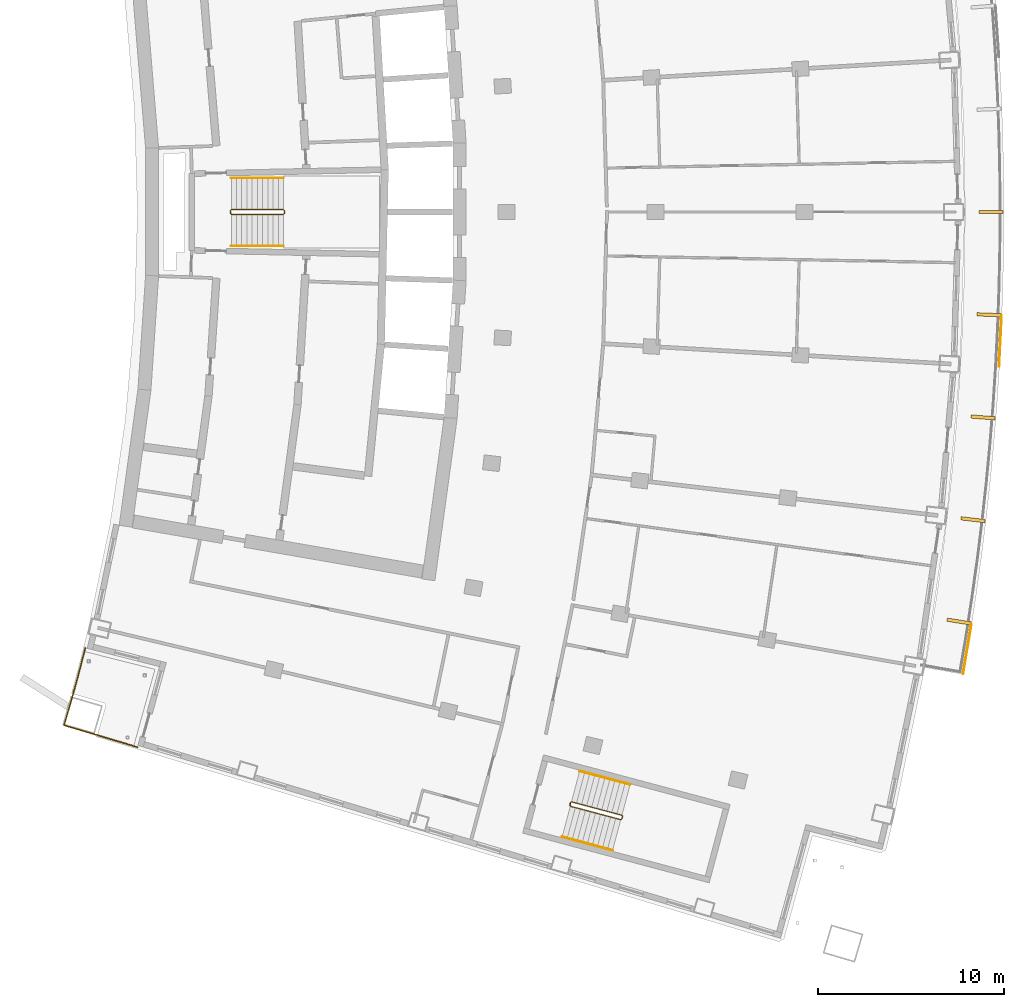
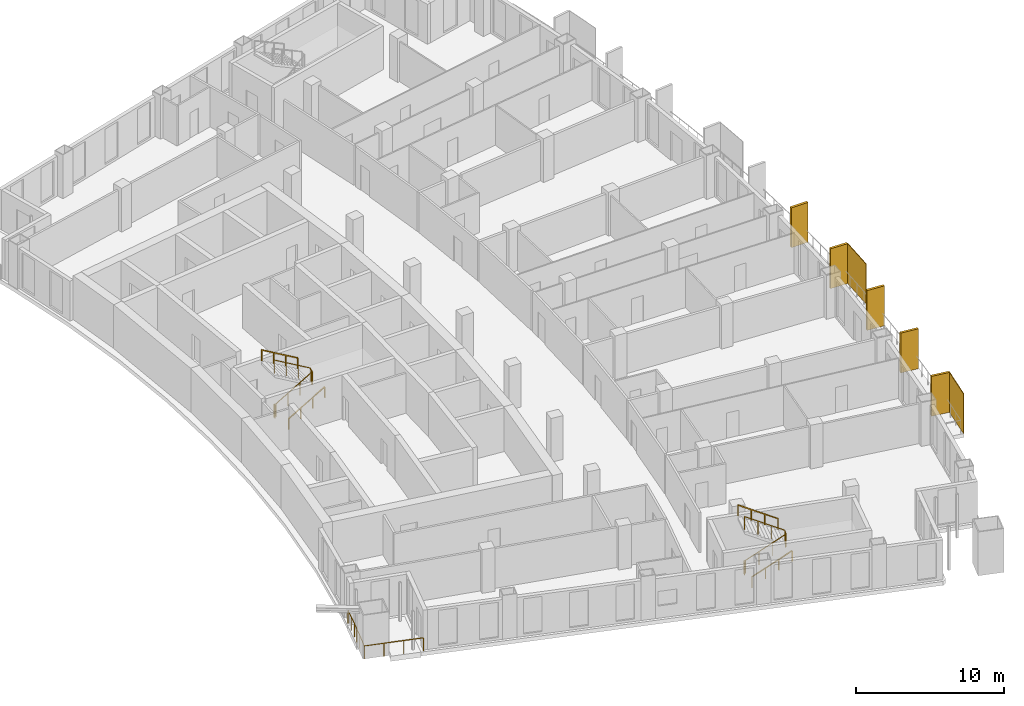
# One storey, part 18 of 20: 7 railings, 7 shading devices.
"""IFC4 building model written with IfcOpenShell, lengths in metres."""

from ifc_helpers import new_model, si_unit, direction, frame, origin, origin_with_axes, origin_2d, place, context, subcontext, project, spatial, rectangle, extrude, material, layer, layer_set, type_object, element, save


model = new_model("IFC4")

# Units and contexts
model_context = context("Model", 3, precision=1e-05, world=origin(), true_north=direction((0.0, 1.0)))
body_context = subcontext(model_context, "Body", "Model", "MODEL_VIEW")
ifc_project = project(units=[si_unit("LENGTHUNIT", "METRE"), si_unit("AREAUNIT", "SQUARE_METRE"), si_unit("VOLUMEUNIT", "CUBIC_METRE"), si_unit("PLANEANGLEUNIT", "RADIAN"), si_unit("MASSUNIT", "GRAM", prefix="KILO")], contexts=[model_context])

# Site, building, storey
site_placement = place(None, origin())
site = spatial("IfcSite", under=ifc_project, at=site_placement, CompositionType="ELEMENT")
building_placement = place(site_placement, origin())
building = spatial("IfcBuilding", under=site, at=building_placement, Name="Alderwake Tower", CompositionType="ELEMENT")
storey_placement = place(building_placement, frame((0.0, 0.0, 153.199951171875)))
storey = spatial("IfcBuildingStorey", under=building, at=storey_placement, Name="L37", CompositionType="ELEMENT", Elevation=153.199951171875)

# Railing
ifc_material_1 = material(Name="Stainless steel 316 rail and posts", Category="steel")
railing_type_1 = type_object("IfcRailingType", Name="Balcony guard 1100", PredefinedType="GUARDRAIL", material=ifc_material_1)
railing_1_placement = place(storey_placement, frame((13.210693359375, 37.612548828125, 0.0)))
element("IfcRailing", 1, at=railing_1_placement, inside=storey, type_object=railing_type_1, Name="Guard terrace RS", PredefinedType="GUARDRAIL", context=body_context, shape_type="SweptSolid", body=[
    extrude(rectangle(XDim=0.048095703125, YDim=0.048095703125, at=origin_2d()), frame((0.0, 0.0, 1.076171875), z_axis=(-0.251385381433, -0.967887075026, 0.0), x_axis=(0.967887075026, -0.251385381433, 0.0)), (0.0, 0.0, 1.0), 1.6015625),
    extrude(rectangle(XDim=0.048095703125, YDim=0.048095703125, at=origin_2d()), frame((-0.402587890625, -1.550048828125, 1.076171875), z_axis=(-0.266520638672, -0.963829211615, 0.0), x_axis=(0.963829211615, -0.266520638672, 0.0)), (0.0, 0.0, 1.0), 1.401611328125),
    extrude(rectangle(XDim=0.048095703125, YDim=0.048095703125, at=origin_2d()), frame((-0.776123046875, -2.90087890625, 1.076171875), z_axis=(-0.280093650878, -0.959972680204, 0.0), x_axis=(0.959972680204, -0.280093650878, 0.0)), (0.0, 0.0, 1.0), 1.30126953125),
    extrude(rectangle(XDim=0.048095703125, YDim=0.048095703125, at=origin_2d()), frame((-1.140625, -4.150146484375, 1.076171875), z_axis=(0.958066871889, -0.286544706789, 0.0), x_axis=(0.286544706789, 0.958066871889, 0.0)), (0.0, 0.0, 1.0), 4.099853515625),
    extrude(rectangle(XDim=0.0419921875, YDim=0.0419921875, at=origin_2d()), frame((0.0, 0.0, 0.0), z_axis=(0.0, 0.0, 1.0), x_axis=(-0.251385381433, -0.967887075026, 0.0)), (0.0, 0.0, 1.0), 1.052001953125),
    extrude(rectangle(XDim=0.0419921875, YDim=0.0419921875, at=origin_2d()), frame((-0.201171875, -0.77490234375, 0.0), z_axis=(0.0, 0.0, 1.0), x_axis=(-0.251385381433, -0.967887075026, 0.0)), (0.0, 0.0, 1.0), 1.052001953125),
    extrude(rectangle(XDim=0.0419921875, YDim=0.0419921875, at=origin_2d()), frame((-0.402587890625, -1.550048828125, 0.0), z_axis=(0.0, 0.0, 1.0), x_axis=(-0.266520638672, -0.963829211615, 0.0)), (0.0, 0.0, 1.0), 1.052001953125),
    extrude(rectangle(XDim=0.0419921875, YDim=0.0419921875, at=origin_2d()), frame((-0.58935546875, -2.2255859375, 0.0), z_axis=(0.0, 0.0, 1.0), x_axis=(-0.266520638672, -0.963829211615, 0.0)), (0.0, 0.0, 1.0), 1.052001953125),
    extrude(rectangle(XDim=0.0419921875, YDim=0.0419921875, at=origin_2d()), frame((-0.776123046875, -2.90087890625, 0.0), z_axis=(0.0, 0.0, 1.0), x_axis=(-0.280093650878, -0.959972680204, 0.0)), (0.0, 0.0, 1.0), 1.052001953125),
    extrude(rectangle(XDim=0.0419921875, YDim=0.0419921875, at=origin_2d()), frame((-1.140625, -4.150146484375, 0.0), z_axis=(0.0, 0.0, 1.0), x_axis=(0.958066871889, -0.286544706789, 0.0)), (0.0, 0.0, 1.0), 1.052001953125),
    extrude(rectangle(XDim=0.0419921875, YDim=0.0419921875, at=origin_2d()), frame((0.168701171875, -4.541748046875, 0.0), z_axis=(0.0, 0.0, 1.0), x_axis=(0.958066871889, -0.286544706789, 0.0)), (0.0, 0.0, 1.0), 1.052001953125),
    extrude(rectangle(XDim=0.0419921875, YDim=0.0419921875, at=origin_2d()), frame((1.47802734375, -4.933349609375, 0.0), z_axis=(0.0, 0.0, 1.0), x_axis=(0.958066871889, -0.286544706789, 0.0)), (0.0, 0.0, 1.0), 1.052001953125),
    extrude(rectangle(XDim=0.0419921875, YDim=0.0419921875, at=origin_2d()), frame((2.787353515625, -5.324951171875, 0.0), z_axis=(0.0, 0.0, 1.0), x_axis=(0.958066871889, -0.286544706789, 0.0)), (0.0, 0.0, 1.0), 1.052001953125),
])

# Shading devices
ifc_material_2 = material(Name="Bronze anodised aluminium", Category="aluminium")
ifc_layer_1 = layer(ifc_material_2, 0.179931640625)
ifc_layer_set_1 = layer_set([ifc_layer_1], Name="Facade fin 1300")
shading_device_type_1 = type_object("IfcShadingDeviceType", Name="Facade fin 1300", PredefinedType="USERDEFINED", material=ifc_layer_set_1)
for number, where, z_axis, x_axis, name in (
    (2, (60.0869140625, 39.02490234375, 0.0), (0.0, 0.0, 1.0), (0.987918787879, -0.154972476771, 0.0), "Fin"),
    (3, (60.83544921875, 44.489501953125, 0.0), (0.0, 0.0, 1.0), (0.993198315083, -0.116434990084, 0.0), "Fin"),
    (4, (61.37109375, 49.97900390625, 0.0), (0.0, 0.0, 1.0), (0.996975122026, -0.077721335943, 0.0), "Fin"),
    (5, (61.692626953125, 55.4853515625, 0.0), (0.0, 0.0, 1.0), (0.999243494356, -0.038890088543, 0.0), "Fin"),
    (6, (61.800048828125, 61.0, 0.0), (0.0, 0.0, 1.0), (1.0, 0.0, 0.0), "Fin"),
):
    element("IfcShadingDevice", number, at=place(storey_placement, frame(where, z_axis=z_axis, x_axis=x_axis)), inside=storey, type_object=shading_device_type_1, Name=name, ObjectType="FIN", PredefinedType="USERDEFINED", context=body_context, shape_type="SweptSolid", body=[
        extrude(rectangle(XDim=1.300048828125, YDim=0.179931640625, at=origin_2d()), origin(), (0.0, 0.0, 1.0), 3.280029296875),
    ])
ifc_material_3 = material(Name="Perforated bronze anodised aluminium", Category="aluminium")
ifc_layer_2 = layer(ifc_material_3, 0.050048828125)
ifc_layer_set_2 = layer_set([ifc_layer_2], Name="Perforated screen panel")
shading_device_type_2 = type_object("IfcShadingDeviceType", Name="Perforated screen panel", PredefinedType="USERDEFINED", material=ifc_layer_set_2)
for number, where, z_axis, x_axis, name in (
    (7, (60.5263671875, 37.55712890625, 0.0), (0.0, 0.0, 1.0), (0.986369013299, -0.164548380739, 0.0), "Screen panel"),
    (8, (62.300048828125, 54.078857421875, 0.0), (0.0, 0.0, 1.0), (0.998819231138, -0.048581308217, 0.0), "Screen panel"),
):
    element("IfcShadingDevice", number, at=place(storey_placement, frame(where, z_axis=z_axis, x_axis=x_axis)), inside=storey, type_object=shading_device_type_2, Name=name, ObjectType="SCREEN", PredefinedType="USERDEFINED", context=body_context, shape_type="SweptSolid", body=[
        extrude(rectangle(XDim=0.050048828125, YDim=2.763916015625, at=origin_2d()), origin(), (0.0, 0.0, 1.0), 3.280029296875),
    ])

# Railings
ifc_material_4 = material(Name="Stainless steel guard", Category="steel")
railing_type_2 = type_object("IfcRailingType", Name="Stair guard 1100", PredefinedType="GUARDRAIL", material=ifc_material_4)
railing_2_placement = place(storey_placement, frame((20.989990234375, 60.925048828125, 0.0)))
element("IfcRailing", 9, at=railing_2_placement, inside=storey, type_object=railing_type_2, Name="L37 ST-B stair guard 1", PredefinedType="GUARDRAIL", context=body_context, shape_type="SweptSolid", body=[
    extrude(rectangle(XDim=0.048095703125, YDim=0.048095703125, at=origin_2d()), frame((0.0, 0.0, 1.076171875), z_axis=(0.0, 1.0, 0.0), x_axis=(-1.0, 0.0, 0.0)), (0.0, 0.0, 1.0), 0.14990234375),
    extrude(rectangle(XDim=0.048095703125, YDim=0.048095703125, at=origin_2d()), frame((0.0, 0.14990234375, 1.076171875), z_axis=(0.190199549216, -0.759870394187, 0.621627795), x_axis=(0.970072785993, 0.242814311512, 0.0)), (0.0, 0.0, 1.0), 0.26318359375),
    extrude(rectangle(XDim=0.048095703125, YDim=0.048095703125, at=origin_2d()), frame((0.050048828125, -0.050048828125, 1.23974609375), z_axis=(0.863360870873, 0.0, 0.504586966384), x_axis=(0.0, 1.0, 0.0)), (0.0, 0.0, 1.0), 3.2431640625),
    extrude(rectangle(XDim=0.048095703125, YDim=0.048095703125, at=origin_2d()), frame((2.85009765625, -0.050048828125, 2.8759765625), z_axis=(0.705375805398, 0.708833529934, 0.0), x_axis=(-0.708833529934, 0.705375805398, 0.0)), (0.0, 0.0, 1.0), 0.070556640625),
    extrude(rectangle(XDim=0.048095703125, YDim=0.048095703125, at=origin_2d()), frame((2.89990234375, 0.0, 2.8759765625), z_axis=(0.0, 1.0, 0.0), x_axis=(-1.0, 0.0, 0.0)), (0.0, 0.0, 1.0), 0.14990234375),
    extrude(rectangle(XDim=0.048095703125, YDim=0.048095703125, at=origin_2d()), frame((2.89990234375, 0.14990234375, 2.8759765625), z_axis=(-0.279546231943, 0.280916556609, 0.91811752648), x_axis=(-0.708833529934, -0.705375805398, 0.0)), (0.0, 0.0, 1.0), 0.17822265625),
    extrude(rectangle(XDim=0.048095703125, YDim=0.048095703125, at=origin_2d()), frame((2.85009765625, 0.199951171875, 3.03955078125), z_axis=(-0.863360870873, 0.0, 0.504586966384), x_axis=(0.0, -1.0, 0.0)), (0.0, 0.0, 1.0), 3.2431640625),
    extrude(rectangle(XDim=0.0419921875, YDim=0.0419921875, at=origin_2d()), frame((0.0, 0.0, 0.0), z_axis=(0.0, 0.0, 1.0), x_axis=(0.0, 1.0, 0.0)), (0.0, 0.0, 1.0), 1.052001953125),
    extrude(rectangle(XDim=0.0419921875, YDim=0.0419921875, at=origin_2d()), frame((0.0, 0.14990234375, 0.0), z_axis=(0.0, 0.0, 1.0), x_axis=(0.242814311512, -0.970072785993, 0.0)), (0.0, 0.0, 1.0), 1.052001953125),
    extrude(rectangle(XDim=0.0419921875, YDim=0.0419921875, at=origin_2d()), frame((0.050048828125, -0.050048828125, 0.16357421875), z_axis=(0.0, 0.0, 1.0), x_axis=(1.0, 0.0, 0.0)), (0.0, 0.0, 1.0), 1.052001953125),
    extrude(rectangle(XDim=0.0419921875, YDim=0.0419921875, at=origin_2d()), frame((0.9833984375, -0.050048828125, 0.708984375), z_axis=(0.0, 0.0, 1.0), x_axis=(1.0, 0.0, 0.0)), (0.0, 0.0, 1.0), 1.052001953125),
    extrude(rectangle(XDim=0.0419921875, YDim=0.0419921875, at=origin_2d()), frame((1.916748046875, -0.050048828125, 1.254638671875), z_axis=(0.0, 0.0, 1.0), x_axis=(1.0, 0.0, 0.0)), (0.0, 0.0, 1.0), 1.052001953125),
    extrude(rectangle(XDim=0.0419921875, YDim=0.0419921875, at=origin_2d()), frame((2.85009765625, -0.050048828125, 1.800048828125), z_axis=(0.0, 0.0, 1.0), x_axis=(0.705375805398, 0.708833529934, 0.0)), (0.0, 0.0, 1.0), 1.052001953125),
    extrude(rectangle(XDim=0.0419921875, YDim=0.0419921875, at=origin_2d()), frame((2.89990234375, 0.0, 1.800048828125), z_axis=(0.0, 0.0, 1.0), x_axis=(0.0, 1.0, 0.0)), (0.0, 0.0, 1.0), 1.052001953125),
    extrude(rectangle(XDim=0.0419921875, YDim=0.0419921875, at=origin_2d()), frame((2.89990234375, 0.14990234375, 1.800048828125), z_axis=(0.0, 0.0, 1.0), x_axis=(-0.705375805398, 0.708833529934, 0.0)), (0.0, 0.0, 1.0), 1.052001953125),
    extrude(rectangle(XDim=0.0419921875, YDim=0.0419921875, at=origin_2d()), frame((2.85009765625, 0.199951171875, 1.963623046875), z_axis=(0.0, 0.0, 1.0), x_axis=(-1.0, 0.0, 0.0)), (0.0, 0.0, 1.0), 1.052001953125),
    extrude(rectangle(XDim=0.0419921875, YDim=0.0419921875, at=origin_2d()), frame((1.916748046875, 0.199951171875, 2.509033203125), z_axis=(0.0, 0.0, 1.0), x_axis=(-1.0, 0.0, 0.0)), (0.0, 0.0, 1.0), 1.052001953125),
    extrude(rectangle(XDim=0.0419921875, YDim=0.0419921875, at=origin_2d()), frame((0.9833984375, 0.199951171875, 3.0546875), z_axis=(0.0, 0.0, 1.0), x_axis=(-1.0, 0.0, 0.0)), (0.0, 0.0, 1.0), 1.052001953125),
    extrude(rectangle(XDim=0.0419921875, YDim=0.0419921875, at=origin_2d()), frame((0.050048828125, 0.199951171875, 3.60009765625), z_axis=(0.0, 0.0, 1.0), x_axis=(-1.0, 0.0, 0.0)), (0.0, 0.0, 1.0), 1.052001953125),
])
railing_3_placement = place(storey_placement, frame((39.1943359375, 29.17431640625, 0.0)))
element("IfcRailing", 10, at=railing_3_placement, inside=storey, type_object=railing_type_2, Name="L37 ST-C stair guard 1", PredefinedType="GUARDRAIL", context=body_context, shape_type="SweptSolid", body=[
    extrude(rectangle(XDim=0.048095703125, YDim=0.048095703125, at=origin_2d()), frame((0.0, 0.0, 1.076171875), z_axis=(0.257459803502, 0.966289009345, 0.0), x_axis=(-0.966289009345, 0.257459803502, 0.0)), (0.0, 0.0, 1.0), 0.14990234375),
    extrude(rectangle(XDim=0.048095703125, YDim=0.048095703125, at=origin_2d()), frame((0.03857421875, 0.144775390625, 1.076171875), z_axis=(-0.012062893862, -0.783160186125, 0.621702991355), x_axis=(0.999881397308, -0.015401016783, 0.0)), (0.0, 0.0, 1.0), 0.26318359375),
    extrude(rectangle(XDim=0.048095703125, YDim=0.048095703125, at=origin_2d()), frame((0.035400390625, -0.061279296875, 1.23974609375), z_axis=(0.834281824786, -0.222214197128, 0.504573768072), x_axis=(0.257380452725, 0.966310148221, 0.0)), (0.0, 0.0, 1.0), 3.2431640625),
    extrude(rectangle(XDim=0.048095703125, YDim=0.048095703125, at=origin_2d()), frame((2.7412109375, -0.781982421875, 2.8759765625), z_axis=(0.865031189262, 0.501718089772, 0.0), x_axis=(-0.501718089772, 0.865031189262, 0.0)), (0.0, 0.0, 1.0), 0.070556640625),
    extrude(rectangle(XDim=0.048095703125, YDim=0.048095703125, at=origin_2d()), frame((2.80224609375, -0.74658203125, 2.8759765625), z_axis=(0.257055032184, 0.966396766566, 0.0), x_axis=(-0.966396766566, 0.257055032184, 0.0)), (0.0, 0.0, 1.0), 0.150146484375),
    extrude(rectangle(XDim=0.048095703125, YDim=0.048095703125, at=origin_2d()), frame((2.8408203125, -0.6015625, 2.8759765625), z_axis=(-0.198625291617, 0.343827228937, 0.91778583023), x_axis=(-0.865898279276, -0.500220121494, 0.0)), (0.0, 0.0, 1.0), 0.17822265625),
    extrude(rectangle(XDim=0.048095703125, YDim=0.048095703125, at=origin_2d()), frame((2.805419921875, -0.540283203125, 3.03955078125), z_axis=(-0.834258940753, 0.22222815314, 0.504605457487), x_axis=(-0.257402139082, -0.966304371715, 0.0)), (0.0, 0.0, 1.0), 3.2431640625),
    extrude(rectangle(XDim=0.0419921875, YDim=0.0419921875, at=origin_2d()), frame((0.0, 0.0, 0.0), z_axis=(0.0, 0.0, 1.0), x_axis=(0.257459803502, 0.966289009345, 0.0)), (0.0, 0.0, 1.0), 1.052001953125),
    extrude(rectangle(XDim=0.0419921875, YDim=0.0419921875, at=origin_2d()), frame((0.03857421875, 0.144775390625, 0.0), z_axis=(0.0, 0.0, 1.0), x_axis=(-0.015401016783, -0.999881397308, 0.0)), (0.0, 0.0, 1.0), 1.052001953125),
    extrude(rectangle(XDim=0.0419921875, YDim=0.0419921875, at=origin_2d()), frame((0.035400390625, -0.061279296875, 0.16357421875), z_axis=(0.0, 0.0, 1.0), x_axis=(0.966310148221, -0.257380452725, 0.0)), (0.0, 0.0, 1.0), 1.052001953125),
    extrude(rectangle(XDim=0.0419921875, YDim=0.0419921875, at=origin_2d()), frame((0.937255859375, -0.301513671875, 0.708984375), z_axis=(0.0, 0.0, 1.0), x_axis=(0.966310148221, -0.257380452725, 0.0)), (0.0, 0.0, 1.0), 1.052001953125),
    extrude(rectangle(XDim=0.0419921875, YDim=0.0419921875, at=origin_2d()), frame((1.83935546875, -0.541748046875, 1.254638671875), z_axis=(0.0, 0.0, 1.0), x_axis=(0.966310148221, -0.257380452725, 0.0)), (0.0, 0.0, 1.0), 1.052001953125),
    extrude(rectangle(XDim=0.0419921875, YDim=0.0419921875, at=origin_2d()), frame((2.7412109375, -0.781982421875, 1.800048828125), z_axis=(0.0, 0.0, 1.0), x_axis=(0.865031189262, 0.501718089772, 0.0)), (0.0, 0.0, 1.0), 1.052001953125),
    extrude(rectangle(XDim=0.0419921875, YDim=0.0419921875, at=origin_2d()), frame((2.80224609375, -0.74658203125, 1.800048828125), z_axis=(0.0, 0.0, 1.0), x_axis=(0.257055032184, 0.966396766566, 0.0)), (0.0, 0.0, 1.0), 1.052001953125),
    extrude(rectangle(XDim=0.0419921875, YDim=0.0419921875, at=origin_2d()), frame((2.8408203125, -0.6015625, 1.800048828125), z_axis=(0.0, 0.0, 1.0), x_axis=(-0.500220121494, 0.865898279276, 0.0)), (0.0, 0.0, 1.0), 1.052001953125),
    extrude(rectangle(XDim=0.0419921875, YDim=0.0419921875, at=origin_2d()), frame((2.805419921875, -0.540283203125, 1.963623046875), z_axis=(0.0, 0.0, 1.0), x_axis=(-0.966304371715, 0.257402139082, 0.0)), (0.0, 0.0, 1.0), 1.052001953125),
    extrude(rectangle(XDim=0.0419921875, YDim=0.0419921875, at=origin_2d()), frame((1.903564453125, -0.300048828125, 2.509033203125), z_axis=(0.0, 0.0, 1.0), x_axis=(-0.966304371715, 0.257402139082, 0.0)), (0.0, 0.0, 1.0), 1.052001953125),
    extrude(rectangle(XDim=0.0419921875, YDim=0.0419921875, at=origin_2d()), frame((1.001708984375, -0.059814453125, 3.0546875), z_axis=(0.0, 0.0, 1.0), x_axis=(-0.966304371715, 0.257402139082, 0.0)), (0.0, 0.0, 1.0), 1.052001953125),
    extrude(rectangle(XDim=0.0419921875, YDim=0.0419921875, at=origin_2d()), frame((0.099853515625, 0.180419921875, 3.60009765625), z_axis=(0.0, 0.0, 1.0), x_axis=(-0.966304371715, 0.257402139082, 0.0)), (0.0, 0.0, 1.0), 1.052001953125),
])
ifc_material_5 = material(Name="Stainless steel handrail", Category="steel")
railing_type_3 = type_object("IfcRailingType", Name="Stair handrail 900", PredefinedType="HANDRAIL", material=ifc_material_5)
railing_4_placement = place(storey_placement, frame((21.0400390625, 59.175048828125, 0.16357421875)))
element("IfcRailing", 11, at=railing_4_placement, inside=storey, type_object=railing_type_3, Name="L37 ST-B stair handrail 1", PredefinedType="HANDRAIL", context=body_context, shape_type="SweptSolid", body=[
    extrude(rectangle(XDim=0.048095703125, YDim=0.048095703125, at=origin_2d()), frame((0.0, 0.0, 0.8759765625), z_axis=(0.863360870873, 0.0, 0.504586966384), x_axis=(0.0, 1.0, 0.0)), (0.0, 0.0, 1.0), 3.2431640625),
    extrude(rectangle(XDim=0.0419921875, YDim=0.0419921875, at=origin_2d()), origin_with_axes(), (0.0, 0.0, 1.0), 0.851806640625),
    extrude(rectangle(XDim=0.0419921875, YDim=0.0419921875, at=origin_2d()), frame((0.933349609375, 0.0, 0.54541015625), z_axis=(0.0, 0.0, 1.0), x_axis=(1.0, 0.0, 0.0)), (0.0, 0.0, 1.0), 0.851806640625),
    extrude(rectangle(XDim=0.0419921875, YDim=0.0419921875, at=origin_2d()), frame((1.86669921875, 0.0, 1.091064453125), z_axis=(0.0, 0.0, 1.0), x_axis=(1.0, 0.0, 0.0)), (0.0, 0.0, 1.0), 0.851806640625),
    extrude(rectangle(XDim=0.0419921875, YDim=0.0419921875, at=origin_2d()), frame((2.800048828125, 0.0, 1.636474609375), z_axis=(0.0, 0.0, 1.0), x_axis=(1.0, 0.0, 0.0)), (0.0, 0.0, 1.0), 0.851806640625),
])
railing_5_placement = place(storey_placement, frame((23.840087890625, 62.824951171875, 1.963623046875)))
element("IfcRailing", 12, at=railing_5_placement, inside=storey, type_object=railing_type_3, Name="L37 ST-B stair handrail 2", PredefinedType="HANDRAIL", context=body_context, shape_type="SweptSolid", body=[
    extrude(rectangle(XDim=0.048095703125, YDim=0.048095703125, at=origin_2d()), frame((0.0, 0.0, 0.8759765625), z_axis=(-0.863360870873, 0.0, 0.504586966384), x_axis=(0.0, -1.0, 0.0)), (0.0, 0.0, 1.0), 3.2431640625),
    extrude(rectangle(XDim=0.0419921875, YDim=0.0419921875, at=origin_2d()), frame((0.0, 0.0, 0.0), z_axis=(0.0, 0.0, 1.0), x_axis=(-1.0, 0.0, 0.0)), (0.0, 0.0, 1.0), 0.851806640625),
    extrude(rectangle(XDim=0.0419921875, YDim=0.0419921875, at=origin_2d()), frame((-0.933349609375, 0.0, 0.54541015625), z_axis=(0.0, 0.0, 1.0), x_axis=(-1.0, 0.0, 0.0)), (0.0, 0.0, 1.0), 0.851806640625),
    extrude(rectangle(XDim=0.0419921875, YDim=0.0419921875, at=origin_2d()), frame((-1.86669921875, 0.0, 1.091064453125), z_axis=(0.0, 0.0, 1.0), x_axis=(-1.0, 0.0, 0.0)), (0.0, 0.0, 1.0), 0.851806640625),
    extrude(rectangle(XDim=0.0419921875, YDim=0.0419921875, at=origin_2d()), frame((-2.800048828125, 0.0, 1.636474609375), z_axis=(0.0, 0.0, 1.0), x_axis=(-1.0, 0.0, 0.0)), (0.0, 0.0, 1.0), 0.851806640625),
])
railing_6_placement = place(storey_placement, frame((38.792236328125, 27.47021484375, 0.16357421875)))
element("IfcRailing", 13, at=railing_6_placement, inside=storey, type_object=railing_type_3, Name="L37 ST-C stair handrail 1", PredefinedType="HANDRAIL", context=body_context, shape_type="SweptSolid", body=[
    extrude(rectangle(XDim=0.048095703125, YDim=0.048095703125, at=origin_2d()), frame((0.0, 0.0, 0.8759765625), z_axis=(0.834272895437, -0.222156588561, 0.504613898043), x_axis=(0.25732071773, 0.966326056891, 0.0)), (0.0, 0.0, 1.0), 3.242919921875),
    extrude(rectangle(XDim=0.0419921875, YDim=0.0419921875, at=origin_2d()), frame((0.0, 0.0, 0.0), z_axis=(0.0, 0.0, 1.0), x_axis=(0.966326056891, -0.25732071773, 0.0)), (0.0, 0.0, 1.0), 0.851806640625),
    extrude(rectangle(XDim=0.0419921875, YDim=0.0419921875, at=origin_2d()), frame((0.90185546875, -0.240234375, 0.54541015625), z_axis=(0.0, 0.0, 1.0), x_axis=(0.966326056891, -0.25732071773, 0.0)), (0.0, 0.0, 1.0), 0.851806640625),
    extrude(rectangle(XDim=0.0419921875, YDim=0.0419921875, at=origin_2d()), frame((1.8037109375, -0.480224609375, 1.091064453125), z_axis=(0.0, 0.0, 1.0), x_axis=(0.966326056891, -0.25732071773, 0.0)), (0.0, 0.0, 1.0), 0.851806640625),
    extrude(rectangle(XDim=0.0419921875, YDim=0.0419921875, at=origin_2d()), frame((2.70556640625, -0.720458984375, 1.636474609375), z_axis=(0.0, 0.0, 1.0), x_axis=(0.966326056891, -0.25732071773, 0.0)), (0.0, 0.0, 1.0), 0.851806640625),
])
railing_7_placement = place(storey_placement, frame((42.437255859375, 30.276611328125, 1.963623046875)))
element("IfcRailing", 14, at=railing_7_placement, inside=storey, type_object=railing_type_3, Name="L37 ST-C stair handrail 2", PredefinedType="HANDRAIL", context=body_context, shape_type="SweptSolid", body=[
    extrude(rectangle(XDim=0.048095703125, YDim=0.048095703125, at=origin_2d()), frame((0.0, 0.0, 0.8759765625), z_axis=(-0.834258940753, 0.22222815314, 0.504605457487), x_axis=(-0.257402139082, -0.966304371715, 0.0)), (0.0, 0.0, 1.0), 3.2431640625),
    extrude(rectangle(XDim=0.0419921875, YDim=0.0419921875, at=origin_2d()), frame((0.0, 0.0, 0.0), z_axis=(0.0, 0.0, 1.0), x_axis=(-0.966304371715, 0.257402139082, 0.0)), (0.0, 0.0, 1.0), 0.851806640625),
    extrude(rectangle(XDim=0.0419921875, YDim=0.0419921875, at=origin_2d()), frame((-0.90185546875, 0.240234375, 0.54541015625), z_axis=(0.0, 0.0, 1.0), x_axis=(-0.966304371715, 0.257402139082, 0.0)), (0.0, 0.0, 1.0), 0.851806640625),
    extrude(rectangle(XDim=0.0419921875, YDim=0.0419921875, at=origin_2d()), frame((-1.8037109375, 0.48046875, 1.091064453125), z_axis=(0.0, 0.0, 1.0), x_axis=(-0.966304371715, 0.257402139082, 0.0)), (0.0, 0.0, 1.0), 0.851806640625),
    extrude(rectangle(XDim=0.0419921875, YDim=0.0419921875, at=origin_2d()), frame((-2.70556640625, 0.720703125, 1.636474609375), z_axis=(0.0, 0.0, 1.0), x_axis=(-0.966304371715, 0.257402139082, 0.0)), (0.0, 0.0, 1.0), 0.851806640625),
])

save(model, "model.ifc")
